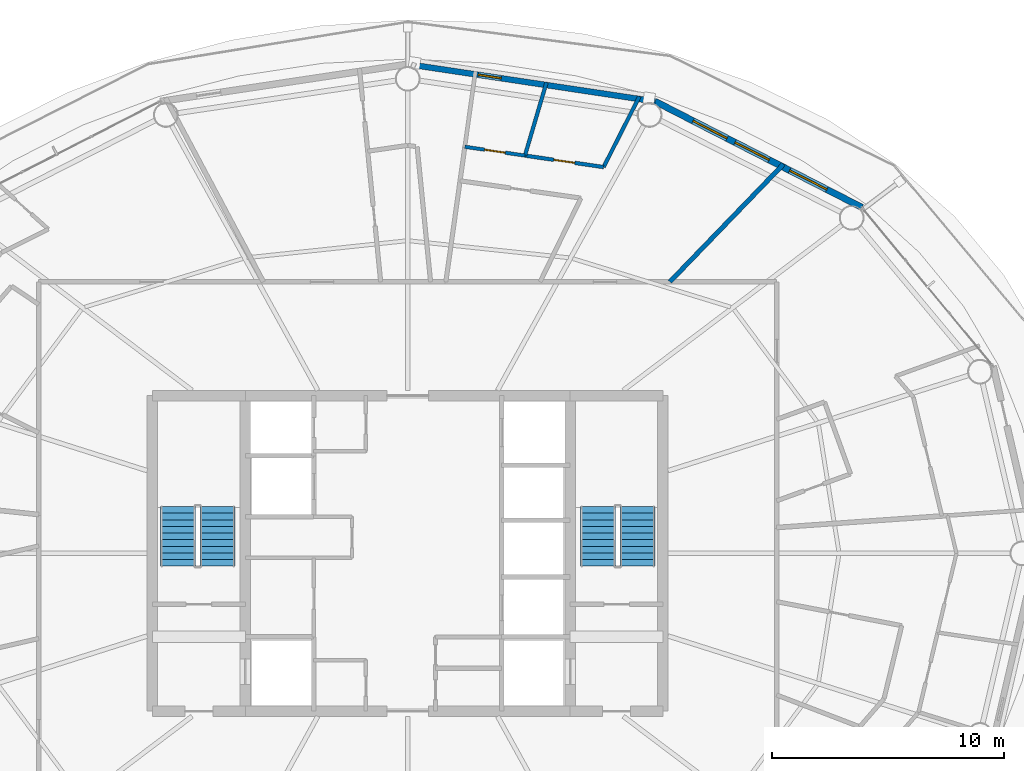
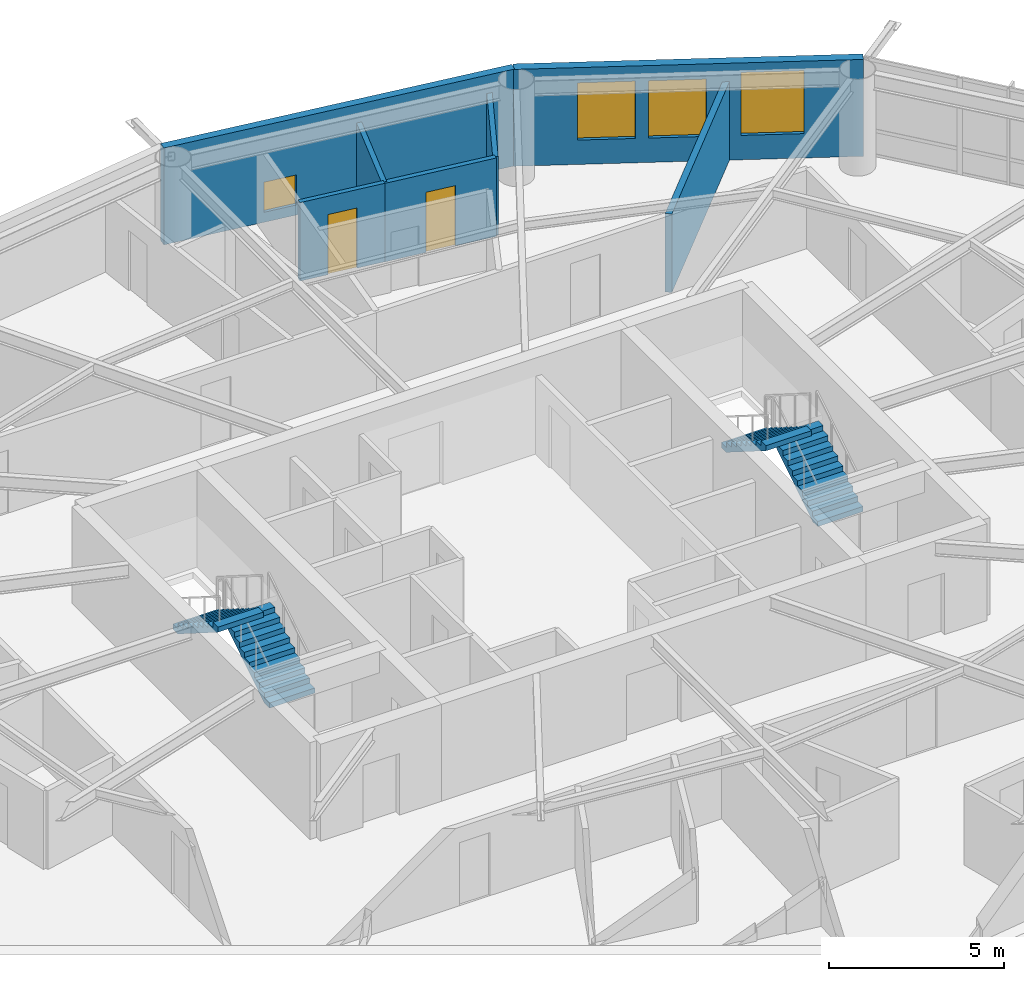
# One storey, part 25 of 28: 7 walls, 4 stair flights, 4 windows, 2 doors, 6 openings, 2 elements without a shape of their own.
"""IFC4 building model written with IfcOpenShell, lengths in metres."""

from ifc_helpers import new_model, si_unit, direction, frame, frame_2d, origin, place, context, subcontext, project, spatial, polyline, rectangle, outline, extrude, material, layer, layer_set, type_object, element, fill, aggregate, save


model = new_model("IFC4")

# Units and contexts
model_context = context("Model", 3, precision=1e-05, world=origin(), true_north=direction((0.0, 1.0)))
body_context = subcontext(model_context, "Body", "Model", "MODEL_VIEW")
ifc_project = project(units=[si_unit("LENGTHUNIT", "METRE"), si_unit("AREAUNIT", "SQUARE_METRE"), si_unit("VOLUMEUNIT", "CUBIC_METRE"), si_unit("PLANEANGLEUNIT", "RADIAN"), si_unit("MASSUNIT", "GRAM", prefix="KILO")], contexts=[model_context])

# Site, building, storey
site_placement = place(None, origin())
site = spatial("IfcSite", under=ifc_project, at=site_placement, CompositionType="ELEMENT")
building_placement = place(site_placement, origin())
building = spatial("IfcBuilding", under=site, at=building_placement, Name="Sarneth Arch Tower", CompositionType="ELEMENT")
storey_placement = place(building_placement, frame((0.0, 0.0, 154.199951171875)))
storey = spatial("IfcBuildingStorey", under=building, at=storey_placement, Name="L38", CompositionType="ELEMENT", Elevation=154.199951171875)

# Wall, opening, window
ifc_material_1 = material(Name="Extruded terracotta rainscreen on Concrete C40/50 backing", Category="masonry")
ifc_layer_1 = layer(ifc_material_1, 0.25)
ifc_layer_set_1 = layer_set([ifc_layer_1], Name="Extruded terracotta rainscreen on Concrete C40/50 backing")
wall_type_1 = type_object("IfcWallType", Name="WALL-EXT-SPAND-250", PredefinedType="SOLIDWALL", material=ifc_layer_set_1)
wall_1_placement = place(storey_placement, frame((58.662841796875, 61.475341796875, 0.0), z_axis=(0.0, 0.0, 1.0), x_axis=(-0.988863993413, 0.148822049884, 0.0)))
wall_1 = element("IfcWall", 1, at=wall_1_placement, inside=storey, type_object=wall_type_1, Name="L38 Terracotta perimeter wall 04", PredefinedType="SOLIDWALL", context=body_context, shape_type="SweptSolid", body=[
    extrude(rectangle(XDim=10.782958984375, YDim=0.25, at=frame_2d((5.3916015625, 0.0))), origin(), (0.0, 0.0, 1.0), 3.380126953125),
])
opening_1_placement = place(wall_1_placement, frame((6.710205078125, 0.0, 0.35009765625)))
opening_1 = element("IfcOpeningElement", 2, at=opening_1_placement, cuts=wall_1, Name="Opening W-14", PredefinedType="OPENING", context=body_context, shape_type="SweptSolid", body=[
    extrude(rectangle(XDim=1.0, YDim=1.050048828125, at=frame_2d((0.5, 0.52490234375))), frame((0.0, 0.135009765625, 0.0), z_axis=(0.0, -1.0, 0.0), x_axis=(1.0, 0.0, 0.0)), (0.0, 0.0, 1.0), 0.27001953125),
])
ifc_material_2 = material(Name="Thermally broken Aluminium 6063-T6 and low-e laminated IGU", Category="aluminium")
window_type_1 = type_object("IfcWindowType", Name="WIN-TWR-1000x1050", PartitioningType="SINGLE_PANEL", PredefinedType="WINDOW", material=ifc_material_2)
window_1_placement = place(opening_1_placement, origin())
window_1 = element("IfcWindow", 3, at=window_1_placement, inside=storey, type_object=window_type_1, Name="L38 Dwelling bedroom window 01", OverallHeight=1.050048828125, OverallWidth=1.0, PartitioningType="SINGLE_PANEL", PredefinedType="WINDOW", context=body_context, shape_type="SweptSolid", body=[
    extrude(rectangle(XDim=1.0, YDim=1.050048828125, at=frame_2d((0.5, 0.52490234375))), frame((0.0, 0.030029296875, 0.0), z_axis=(0.0, -1.0, 0.0), x_axis=(1.0, 0.0, 0.0)), (0.0, 0.0, 1.0), 0.06005859375),
])
fill(opening_1, window_1)

# Wall, openings, windows
ifc_material_3 = material(Name="Extruded terracotta rainscreen on Concrete C40/50 backing", Category="masonry")
ifc_layer_2 = layer(ifc_material_3, 0.280029296875)
ifc_layer_set_2 = layer_set([ifc_layer_2], Name="Extruded terracotta rainscreen on Concrete C40/50 backing")
wall_type_2 = type_object("IfcWallType", Name="WALL-EXT-TERRA-280", PredefinedType="SOLIDWALL", material=ifc_layer_set_2)
wall_2_placement = place(storey_placement, frame((67.576171875, 56.90576171875, 0.0), z_axis=(0.0, 0.0, 1.0), x_axis=(-0.889872523182, 0.456209263919, 0.0)))
wall_2 = element("IfcWall", 4, at=wall_2_placement, inside=storey, type_object=wall_type_2, Name="L38 Terracotta perimeter wall 03", PredefinedType="SOLIDWALL", context=body_context, shape_type="SweptSolid", body=[
    extrude(rectangle(XDim=10.016357421875, YDim=0.280029296875, at=frame_2d((5.00830078125, 0.0))), origin(), (0.0, 0.0, 1.0), 3.380126953125),
])
opening_2_placement = place(wall_2_placement, frame((1.7001953125, 0.0, 0.85009765625)))
opening_2 = element("IfcOpeningElement", 5, at=opening_2_placement, cuts=wall_2, Name="Opening W-04", PredefinedType="OPENING", context=body_context, shape_type="SweptSolid", body=[
    extrude(rectangle(XDim=1.800048828125, YDim=2.199951171875, at=frame_2d((0.89990234375, 1.10009765625))), frame((0.0, 0.14990234375, 0.0), z_axis=(0.0, -1.0, 0.0), x_axis=(1.0, 0.0, 0.0)), (0.0, 0.0, 1.0), 0.300048828125),
])
opening_3_placement = place(wall_2_placement, frame((4.4951171875, 0.0, 0.85009765625)))
opening_3 = element("IfcOpeningElement", 6, at=opening_3_placement, cuts=wall_2, Name="Opening W-05", PredefinedType="OPENING", context=body_context, shape_type="SweptSolid", body=[
    extrude(rectangle(XDim=1.64990234375, YDim=2.0, at=frame_2d((0.824951171875, 1.0))), frame((0.0, 0.14990234375, 0.0), z_axis=(0.0, -1.0, 0.0), x_axis=(1.0, 0.0, 0.0)), (0.0, 0.0, 1.0), 0.300048828125),
])
opening_4_placement = place(wall_2_placement, frame((6.5302734375, 0.0, 0.85009765625)))
opening_4 = element("IfcOpeningElement", 7, at=opening_4_placement, cuts=wall_2, Name="Opening W-05", PredefinedType="OPENING", context=body_context, shape_type="SweptSolid", body=[
    extrude(rectangle(XDim=1.64990234375, YDim=2.0, at=frame_2d((0.824951171875, 1.0))), frame((0.0, 0.14990234375, 0.0), z_axis=(0.0, -1.0, 0.0), x_axis=(1.0, 0.0, 0.0)), (0.0, 0.0, 1.0), 0.300048828125),
])
ifc_material_4 = material(Name="Thermally broken Aluminium 6063-T6 and low-e laminated IGU", Category="aluminium")
window_type_2 = type_object("IfcWindowType", Name="WIN-TWR-1650x2000", PartitioningType="DOUBLE_PANEL_VERTICAL", PredefinedType="WINDOW", material=ifc_material_4)
window_2_placement = place(opening_3_placement, origin())
window_2 = element("IfcWindow", 8, at=window_2_placement, inside=storey, type_object=window_type_2, Name="L38 Exterior window 03B", OverallHeight=2.0, OverallWidth=1.64990234375, PartitioningType="SINGLE_PANEL", PredefinedType="WINDOW", context=body_context, shape_type="SweptSolid", body=[
    extrude(rectangle(XDim=1.64990234375, YDim=2.0, at=frame_2d((0.824951171875, 1.0))), frame((0.0, 0.030029296875, 0.0), z_axis=(0.0, -1.0, 0.0), x_axis=(1.0, 0.0, 0.0)), (0.0, 0.0, 1.0), 0.06005859375),
])
fill(opening_3, window_2)
window_3_placement = place(opening_4_placement, origin())
window_3 = element("IfcWindow", 9, at=window_3_placement, inside=storey, type_object=window_type_2, Name="L38 Exterior window 03C", OverallHeight=2.0, OverallWidth=1.64990234375, PartitioningType="SINGLE_PANEL", PredefinedType="WINDOW", context=body_context, shape_type="SweptSolid", body=[
    extrude(rectangle(XDim=1.64990234375, YDim=2.0, at=frame_2d((0.824951171875, 1.0))), frame((0.0, 0.030029296875, 0.0), z_axis=(0.0, -1.0, 0.0), x_axis=(1.0, 0.0, 0.0)), (0.0, 0.0, 1.0), 0.06005859375),
])
fill(opening_4, window_3)
ifc_material_5 = material(Name="Thermally broken Aluminium 6063-T6 and low-e laminated IGU", Category="aluminium")
window_type_3 = type_object("IfcWindowType", Name="WIN-TWR-1800x2200", PartitioningType="DOUBLE_PANEL_VERTICAL", PredefinedType="WINDOW", material=ifc_material_5)
window_4_placement = place(opening_2_placement, origin())
window_4 = element("IfcWindow", 10, at=window_4_placement, inside=storey, type_object=window_type_3, Name="L38 Exterior window 03A", OverallHeight=2.199951171875, OverallWidth=1.800048828125, PartitioningType="SINGLE_PANEL", PredefinedType="WINDOW", context=body_context, shape_type="SweptSolid", body=[
    extrude(rectangle(XDim=1.800048828125, YDim=2.199951171875, at=frame_2d((0.89990234375, 1.10009765625))), frame((0.0, 0.030029296875, 0.0), z_axis=(0.0, -1.0, 0.0), x_axis=(1.0, 0.0, 0.0)), (0.0, 0.0, 1.0), 0.06005859375),
])
fill(opening_2, window_4)

# Wall, opening, door
ifc_material_6 = material(Name="Acoustic gypsum stud partition", Category="gypsum")
ifc_layer_3 = layer(ifc_material_6, 0.14990234375)
ifc_layer_set_3 = layer_set([ifc_layer_3], Name="Acoustic gypsum stud partition")
wall_type_3 = type_object("IfcWallType", Name="WALL-PART-150", PredefinedType="PARTITIONING", material=ifc_layer_set_3)
wall_3_placement = place(storey_placement, frame((53.052978515625, 59.140869140625, 0.0), z_axis=(0.0, 0.0, 1.0), x_axis=(-0.989458783037, 0.144814766757, 0.0)))
wall_3 = element("IfcWall", 11, at=wall_3_placement, inside=storey, type_object=wall_type_3, Name="L38 Interior partition W-L38-TP-041", PredefinedType="PARTITIONING", context=body_context, shape_type="SweptSolid", body=[
    extrude(rectangle(XDim=2.6181640625, YDim=0.14990234375, at=frame_2d((1.30908203125, 0.0))), origin(), (0.0, 0.0, 1.0), 2.739990234375),
])
opening_5_placement = place(wall_3_placement, frame((0.859130859375, 0.0, 0.0)))
opening_5 = element("IfcOpeningElement", 12, at=opening_5_placement, cuts=wall_3, Name="Opening ID-01", PredefinedType="OPENING", context=body_context, shape_type="SweptSolid", body=[
    extrude(rectangle(XDim=0.89990234375, YDim=2.10009765625, at=frame_2d((0.449951171875, 1.050048828125))), frame((0.0, 0.0849609375, 0.0), z_axis=(0.0, -1.0, 0.0), x_axis=(1.0, 0.0, 0.0)), (0.0, 0.0, 1.0), 0.169921875),
])
ifc_material_7 = material(Name="Engineered hardwood flush door", Category="wood")
door_type = type_object("IfcDoorType", Name="DR-INT-900", OperationType="SINGLE_SWING_LEFT", PredefinedType="DOOR", material=ifc_material_7)
door_1_placement = place(opening_5_placement, origin())
door_1 = element("IfcDoor", 13, at=door_1_placement, inside=storey, type_object=door_type, Name="L38 Interior door DR-L38-U2-BED1", OperationType="SINGLE_SWING_LEFT", OverallHeight=2.10009765625, OverallWidth=0.89990234375, PredefinedType="DOOR", context=body_context, shape_type="SweptSolid", body=[
    extrude(rectangle(XDim=0.89990234375, YDim=2.10009765625, at=frame_2d((0.449951171875, 1.050048828125))), frame((0.0, 0.02490234375, 0.0), z_axis=(0.0, -1.0, 0.0), x_axis=(1.0, 0.0, 0.0)), (0.0, 0.0, 1.0), 0.050048828125),
])
fill(opening_5, door_1)

ifc_material_8 = material(Name="Kitchen wet service chase wall", Category="gypsum")
ifc_layer_4 = layer(ifc_material_8, 0.159912109375)
ifc_layer_set_4 = layer_set([ifc_layer_4], Name="Kitchen wet service chase wall")
wall_type_4 = type_object("IfcWallType", Name="WALL-PLUMB-160", PredefinedType="PLUMBINGWALL", material=ifc_layer_set_4)
wall_4_placement = place(storey_placement, frame((56.442138671875, 58.645263671875, 0.0), z_axis=(0.0, 0.0, 1.0), x_axis=(-0.989476501308, 0.144693653483, 0.0)))
wall_4 = element("IfcWall", 14, at=wall_4_placement, inside=storey, type_object=wall_type_4, Name="L38 Interior partition W-L38-TP-038", PredefinedType="PLUMBINGWALL", context=body_context, shape_type="SweptSolid", body=[
    extrude(rectangle(XDim=3.42529296875, YDim=0.159912109375, at=frame_2d((1.712646484375, 0.0))), origin(), (0.0, 0.0, 1.0), 2.739990234375),
])
opening_6_placement = place(wall_4_placement, frame((1.2626953125, 0.0, 0.0)))
opening_6 = element("IfcOpeningElement", 15, at=opening_6_placement, cuts=wall_4, Name="Opening ID-01", PredefinedType="OPENING", context=body_context, shape_type="SweptSolid", body=[
    extrude(rectangle(XDim=0.89990234375, YDim=2.10009765625, at=frame_2d((0.449951171875, 1.050048828125))), frame((0.0, 0.08984375, 0.0), z_axis=(0.0, -1.0, 0.0), x_axis=(1.0, 0.0, 0.0)), (0.0, 0.0, 1.0), 0.179931640625),
])
door_2_placement = place(opening_6_placement, origin())
door_2 = element("IfcDoor", 16, at=door_2_placement, inside=storey, type_object=door_type, Name="L38 Interior door DR-L38-U2-KIT", OperationType="SINGLE_SWING_LEFT", OverallHeight=2.10009765625, OverallWidth=0.89990234375, PredefinedType="DOOR", context=body_context, shape_type="SweptSolid", body=[
    extrude(rectangle(XDim=0.89990234375, YDim=2.10009765625, at=frame_2d((0.449951171875, 1.050048828125))), frame((0.0, 0.02490234375, 0.0), z_axis=(0.0, -1.0, 0.0), x_axis=(1.0, 0.0, 0.0)), (0.0, 0.0, 1.0), 0.050048828125),
])
fill(opening_6, door_2)

# Walls
wall_5_placement = place(storey_placement, frame((57.98779296875, 61.692138671875, 0.0), z_axis=(0.0, 0.0, 1.0), x_axis=(-0.452408261564, -0.89181094682, 0.0)))
element("IfcWall", 17, at=wall_5_placement, inside=storey, type_object=wall_type_4, Name="L38 Interior partition W-L38-TP-037", PredefinedType="PLUMBINGWALL", context=body_context, shape_type="SweptSolid", body=[
    extrude(rectangle(XDim=3.41650390625, YDim=0.159912109375, at=frame_2d((1.708251953125, 0.0))), origin(), (0.0, 0.0, 1.0), 2.739990234375),
])
wall_6_placement = place(storey_placement, frame((53.052978515625, 59.140869140625, 0.0), z_axis=(0.0, 0.0, 1.0), x_axis=(0.282828521875, 0.959170489128, 0.0)))
element("IfcWall", 18, at=wall_6_placement, inside=storey, type_object=wall_type_4, Name="L38 Interior partition W-L38-TP-043", PredefinedType="PLUMBINGWALL", context=body_context, shape_type="SweptSolid", body=[
    extrude(rectangle(XDim=3.293212890625, YDim=0.159912109375, at=frame_2d((1.646484375, 0.0))), origin(), (0.0, 0.0, 1.0), 2.739990234375),
])
ifc_material_9 = material(Name="Double steel-stud acoustic drywall", Category="steel")
ifc_layer_5 = layer(ifc_material_9, 0.199951171875)
ifc_layer_set_5 = layer_set([ifc_layer_5], Name="Double steel-stud acoustic drywall")
wall_type_5 = type_object("IfcWallType", Name="WALL-UNIT-200", PredefinedType="PARTITIONING", material=ifc_layer_set_5)
wall_7_placement = place(storey_placement, frame((64.193603515625, 58.76904296875, 0.0), z_axis=(0.0, 0.0, 1.0), x_axis=(-0.694647685064, -0.719350118952, 0.0)))
element("IfcWall", 19, at=wall_7_placement, inside=storey, type_object=wall_type_5, Name="L38 Interior partition W-L38-TP-033", PredefinedType="PARTITIONING", context=body_context, shape_type="SweptSolid", body=[
    extrude(rectangle(XDim=7.046875, YDim=0.199951171875, at=frame_2d((3.5234375, 0.0))), origin(), (0.0, 0.0, 1.0), 2.739990234375),
])

# Stair, stair flights
ifc_material_10 = material(Name="Concrete C50/60", Category="concrete")
stair_type = type_object("IfcStairType", Name="STAIR-CORE-RC", PredefinedType="HALF_TURN_STAIR", material=ifc_material_10)
stair_1_placement = place(storey_placement, origin())
stair_1 = element("IfcStair", 20, at=stair_1_placement, inside=storey, type_object=stair_type, Name="L38 Core Exit Stair 1", PredefinedType="HALF_TURN_STAIR")
ifc_material_11 = material(Name="Concrete C50/60", Category="concrete")
stair_flight_type = type_object("IfcStairFlightType", Name="FLIGHT-RC-1500", PredefinedType="STRAIGHT", material=ifc_material_11)
stair_flight_1_placement = place(storey_placement, frame((39.800048828125, 41.449951171875, 0.0), z_axis=(0.0, 0.0, 1.0), x_axis=(0.0, 1.0, 0.0)))
stair_flight_1 = element("IfcStairFlight", 21, at=stair_flight_1_placement, type_object=stair_flight_type, Name="ST-1 flight 1", NumberOfRisers=10, NumberOfTreads=9, PredefinedType="STRAIGHT", RiserHeight=0.18, TreadLength=0.285, context=body_context, shape_type="SweptSolid", body=[
    extrude(outline(polyline([(0.0, 0.0), (0.0, 0.179931640625), (0.284912109375, 0.179931640625), (0.284912109375, 0.360107421875), (0.570068359375, 0.360107421875), (0.570068359375, 0.5400390625), (0.85498046875, 0.5400390625), (0.85498046875, 0.719970703125), (1.139892578125, 0.719970703125), (1.139892578125, 0.89990234375), (1.425048828125, 0.89990234375), (1.425048828125, 1.080078125), (1.7099609375, 1.080078125), (1.7099609375, 1.260009765625), (1.9951171875, 1.260009765625), (1.9951171875, 1.43994140625), (2.280029296875, 1.43994140625), (2.280029296875, 1.6201171875), (2.56494140625, 1.6201171875), (2.56494140625, 1.800048828125), (2.56494140625, 1.442626953125), (0.28076171875, 0.0), (0.0, 0.0)])), frame((0.0, 0.75, 0.0), z_axis=(0.0, -1.0, 0.0), x_axis=(1.0, 0.0, 0.0)), (0.0, 0.0, 1.0), 1.5),
])
stair_flight_2_placement = place(storey_placement, frame((38.10009765625, 44.014892578125, 1.800048828125), z_axis=(0.0, 0.0, 1.0), x_axis=(0.0, -1.0, 0.0)))
stair_flight_2 = element("IfcStairFlight", 22, at=stair_flight_2_placement, type_object=stair_flight_type, Name="ST-1 flight 2", NumberOfRisers=10, NumberOfTreads=9, PredefinedType="STRAIGHT", RiserHeight=0.18, TreadLength=0.285, context=body_context, shape_type="SweptSolid", body=[
    extrude(outline(polyline([(0.0, 0.0), (0.0, 0.179931640625), (0.284912109375, 0.179931640625), (0.284912109375, 0.360107421875), (0.570068359375, 0.360107421875), (0.570068359375, 0.5400390625), (0.85498046875, 0.5400390625), (0.85498046875, 0.719970703125), (1.139892578125, 0.719970703125), (1.139892578125, 0.89990234375), (1.425048828125, 0.89990234375), (1.425048828125, 1.080078125), (1.7099609375, 1.080078125), (1.7099609375, 1.260009765625), (1.9951171875, 1.260009765625), (1.9951171875, 1.43994140625), (2.280029296875, 1.43994140625), (2.280029296875, 1.6201171875), (2.56494140625, 1.6201171875), (2.56494140625, 1.800048828125), (2.56494140625, 1.442626953125), (0.28076171875, 0.0), (0.0, 0.0)])), frame((0.0, 0.75, 0.0), z_axis=(0.0, -1.0, 0.0), x_axis=(1.0, 0.0, 0.0)), (0.0, 0.0, 1.0), 1.5),
])
aggregate(stair_1, [stair_flight_1, stair_flight_2])

stair_2_placement = place(storey_placement, origin())
stair_2 = element("IfcStair", 23, at=stair_2_placement, inside=storey, type_object=stair_type, Name="L38 Core Exit Stair 2", PredefinedType="HALF_TURN_STAIR")
stair_flight_3_placement = place(storey_placement, frame((57.89990234375, 41.449951171875, 0.0), z_axis=(0.0, 0.0, 1.0), x_axis=(0.0, 1.0, 0.0)))
stair_flight_3 = element("IfcStairFlight", 24, at=stair_flight_3_placement, type_object=stair_flight_type, Name="ST-2 flight 1", NumberOfRisers=10, NumberOfTreads=9, PredefinedType="STRAIGHT", RiserHeight=0.18, TreadLength=0.285, context=body_context, shape_type="SweptSolid", body=[
    extrude(outline(polyline([(0.0, 0.0), (0.0, 0.179931640625), (0.284912109375, 0.179931640625), (0.284912109375, 0.360107421875), (0.570068359375, 0.360107421875), (0.570068359375, 0.5400390625), (0.85498046875, 0.5400390625), (0.85498046875, 0.719970703125), (1.139892578125, 0.719970703125), (1.139892578125, 0.89990234375), (1.425048828125, 0.89990234375), (1.425048828125, 1.080078125), (1.7099609375, 1.080078125), (1.7099609375, 1.260009765625), (1.9951171875, 1.260009765625), (1.9951171875, 1.43994140625), (2.280029296875, 1.43994140625), (2.280029296875, 1.6201171875), (2.56494140625, 1.6201171875), (2.56494140625, 1.800048828125), (2.56494140625, 1.442626953125), (0.28076171875, 0.0), (0.0, 0.0)])), frame((0.0, 0.75, 0.0), z_axis=(0.0, -1.0, 0.0), x_axis=(1.0, 0.0, 0.0)), (0.0, 0.0, 1.0), 1.5),
])
stair_flight_4_placement = place(storey_placement, frame((56.199951171875, 44.014892578125, 1.800048828125), z_axis=(0.0, 0.0, 1.0), x_axis=(0.0, -1.0, 0.0)))
stair_flight_4 = element("IfcStairFlight", 25, at=stair_flight_4_placement, type_object=stair_flight_type, Name="ST-2 flight 2", NumberOfRisers=10, NumberOfTreads=9, PredefinedType="STRAIGHT", RiserHeight=0.18, TreadLength=0.285, context=body_context, shape_type="SweptSolid", body=[
    extrude(outline(polyline([(0.0, 0.0), (0.0, 0.179931640625), (0.284912109375, 0.179931640625), (0.284912109375, 0.360107421875), (0.570068359375, 0.360107421875), (0.570068359375, 0.5400390625), (0.85498046875, 0.5400390625), (0.85498046875, 0.719970703125), (1.139892578125, 0.719970703125), (1.139892578125, 0.89990234375), (1.425048828125, 0.89990234375), (1.425048828125, 1.080078125), (1.7099609375, 1.080078125), (1.7099609375, 1.260009765625), (1.9951171875, 1.260009765625), (1.9951171875, 1.43994140625), (2.280029296875, 1.43994140625), (2.280029296875, 1.6201171875), (2.56494140625, 1.6201171875), (2.56494140625, 1.800048828125), (2.56494140625, 1.442626953125), (0.28076171875, 0.0), (0.0, 0.0)])), frame((0.0, 0.75, 0.0), z_axis=(0.0, -1.0, 0.0), x_axis=(1.0, 0.0, 0.0)), (0.0, 0.0, 1.0), 1.5),
])
aggregate(stair_2, [stair_flight_3, stair_flight_4])

save(model, "model.ifc")
